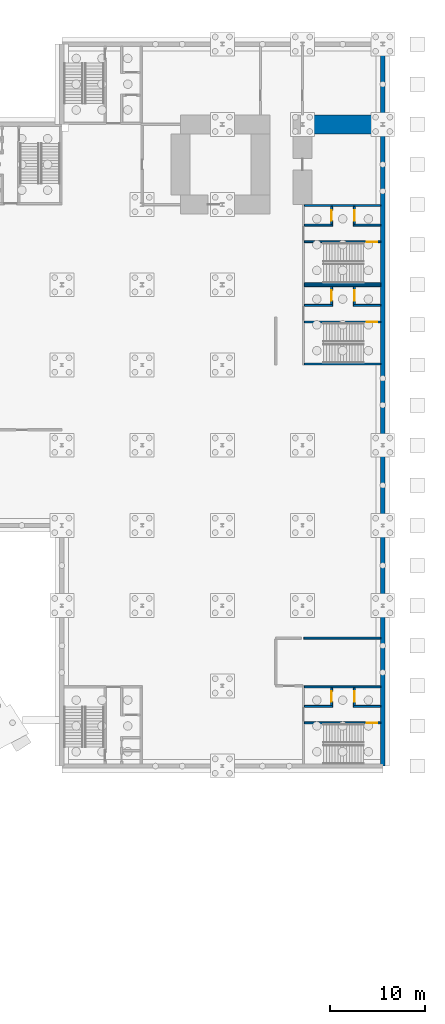
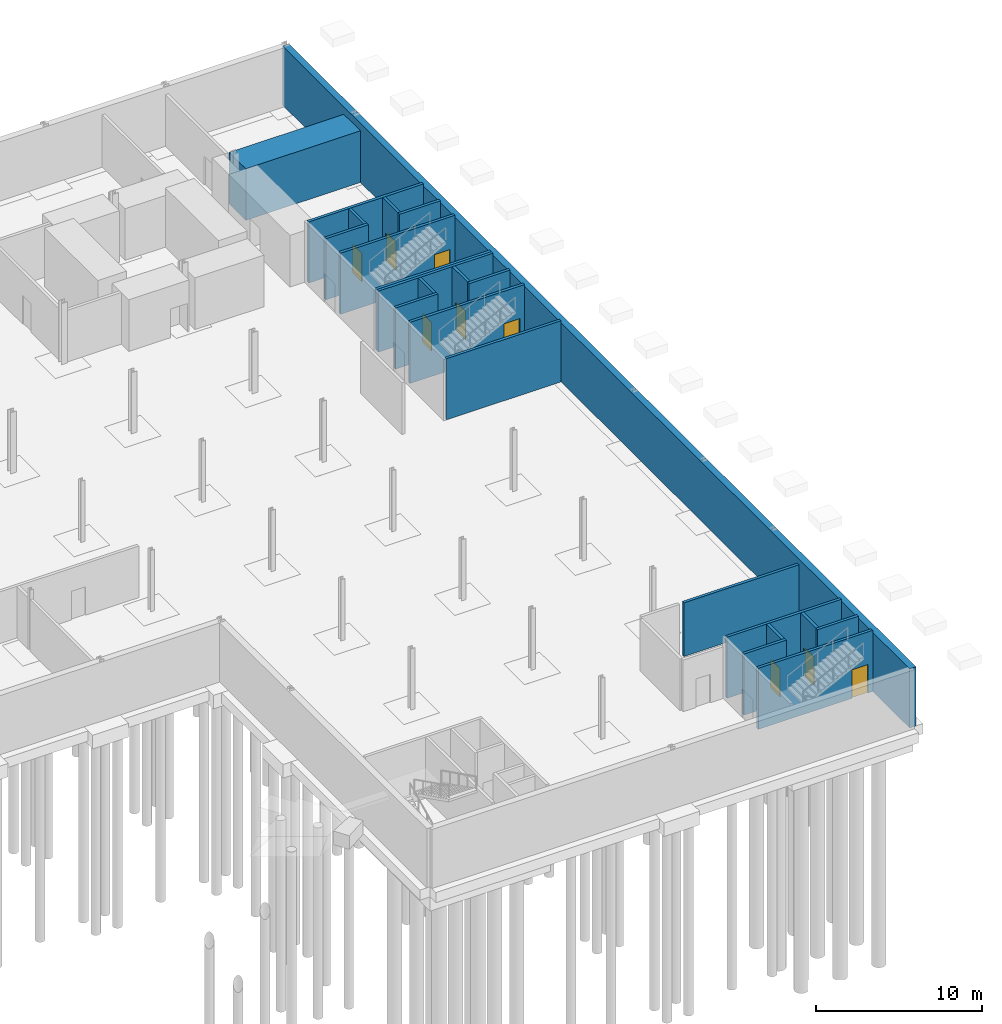
# One storey, part 31 of 35: 23 walls, 9 doors, 9 openings.
"""IFC4 building model written with IfcOpenShell, lengths in metres."""

import ifcopenshell
import ifcopenshell.guid

model = None  # the IFC model being written
_history = None  # IfcOwnerHistory: only IFC2X3 demands one
_inside = {}  # id of a spatial element -> (the spatial element, [elements in it])
_under = {}  # id of a project, library or spatial element -> (it, [spatial elements below it])
_declared = {}  # id of a project -> (the project, [libraries it declares])
_typed = {}  # id of a type object -> (the type object, [elements of that type])
_made_of = {}  # id of a material, layer set ... -> (it, [elements and type objects made of it])


def new_model(schema):
    """Start an empty IFC model of exactly this schema.

    Asked for "IFC4X3", IfcOpenShell would pick the latest addendum, in which some entities
    have other attributes; the version numbers below select the first issue.
    IFC2X3 requires an IfcOwnerHistory on every rooted entity: one is made here for all.
    """
    global model, _history
    if schema == "IFC4X3":
        model = ifcopenshell.file(schema_version=(4, 3, 0, 0))
    else:
        model = ifcopenshell.file(schema=schema)
    _inside.clear()
    _under.clear()
    _declared.clear()
    _typed.clear()
    _made_of.clear()
    _history = None
    if model.schema == "IFC2X3":
        org = make("IfcOrganization", Name="unknown")
        user = make(
            "IfcPersonAndOrganization",
            ThePerson=make("IfcPerson", FamilyName="unknown"),
            TheOrganization=org,
        )
        app = make(
            "IfcApplication",
            ApplicationDeveloper=org,
            Version="unknown",
            ApplicationFullName="unknown",
            ApplicationIdentifier="unknown",
        )
        _history = make(
            "IfcOwnerHistory",
            OwningUser=user,
            OwningApplication=app,
            ChangeAction="ADDED",
            CreationDate=0,
        )
    return model


def make(cls, **values):
    """One entity of the class cls with the attributes given. An attribute that is None is left unset."""
    return model.create_entity(
        cls, **{name: value for name, value in values.items() if value is not None}
    )


def rooted(cls, **values):
    """An entity with a GlobalId (a new one), such as an element, a storey or a relation."""
    return make(cls, GlobalId=ifcopenshell.guid.new(), OwnerHistory=_history, **values)


def si_unit(unit_type, name, prefix=None):
    """IfcSIUnit, for example si_unit("LENGTHUNIT", "METRE", prefix="MILLI")."""
    return make("IfcSIUnit", UnitType=unit_type, Prefix=prefix, Name=name)


def assignment(units):
    """IfcUnitAssignment: the units of a project."""
    return None if units is None else make("IfcUnitAssignment", Units=units)


def point(xyz):
    """IfcCartesianPoint."""
    return None if xyz is None else make("IfcCartesianPoint", Coordinates=xyz)


def direction(xyz):
    """IfcDirection."""
    return None if xyz is None else make("IfcDirection", DirectionRatios=xyz)


def frame(location, z_axis=None, x_axis=None):
    """IfcAxis2Placement3D, a coordinate frame: its origin and axes. An axis left out is left unset."""
    return make(
        "IfcAxis2Placement3D",
        Location=point(location),
        Axis=direction(z_axis),
        RefDirection=direction(x_axis),
    )


def frame_2d(location, x_axis=None):
    """IfcAxis2Placement2D, a coordinate frame in the plane: its origin and x axis."""
    return make(
        "IfcAxis2Placement2D", Location=point(location), RefDirection=direction(x_axis)
    )


def origin():
    """The frame at (0, 0, 0) with its axes left unset."""
    return frame((0.0, 0.0, 0.0))


def place(relative_to, where):
    """IfcLocalPlacement: puts the frame where relative to a parent placement (None: the world)."""
    return make(
        "IfcLocalPlacement", PlacementRelTo=relative_to, RelativePlacement=where
    )


def context(
    kind, dimensions, precision=None, world=None, true_north=None, identifier=None
):
    """IfcGeometricRepresentationContext, for example the 3D "Model" context."""
    return make(
        "IfcGeometricRepresentationContext",
        ContextIdentifier=identifier,
        ContextType=kind,
        CoordinateSpaceDimension=dimensions,
        Precision=precision,
        WorldCoordinateSystem=world,
        TrueNorth=true_north,
    )


def subcontext(parent, identifier, kind, view, scale=None):
    """IfcGeometricRepresentationSubContext, for example "Body" below "Model"."""
    return make(
        "IfcGeometricRepresentationSubContext",
        ContextIdentifier=identifier,
        ContextType=kind,
        ParentContext=parent,
        TargetScale=scale,
        TargetView=view,
    )


def project(units=None, contexts=None):
    """IfcProject with its units and contexts."""
    return rooted(
        "IfcProject",
        Name="project",
        RepresentationContexts=contexts,
        UnitsInContext=assignment(units),
    )


def spatial(cls, under=None, at=None, **own):
    """A site, building, storey or space (cls), placed at a placement, below another one or the project."""
    s = rooted(cls, ObjectPlacement=at, **own)
    if under is not None:
        _under.setdefault(under.id(), (under, []))[1].append(s)
    return s


def profile(cls, at=None, kind="AREA", **sizes):
    """A parametric profile (cls). Its sizes go by their IFC names, for example OverallWidth=200.0."""
    return make(cls, ProfileType=kind, Position=at, **sizes)


def rectangle(**sizes):
    """IfcRectangleProfileDef."""
    return profile("IfcRectangleProfileDef", **sizes)


def extrude(swept, where, along, depth):
    """IfcExtrudedAreaSolid: the profile swept, set in the frame where, extruded along a direction by depth."""
    return make(
        "IfcExtrudedAreaSolid",
        SweptArea=swept,
        Position=where,
        ExtrudedDirection=direction(along),
        Depth=depth,
    )


def shape(context_of_items, identifier, shape_type, items):
    """IfcShapeRepresentation: the items that make up one representation, for example the "Body"."""
    return make(
        "IfcShapeRepresentation",
        ContextOfItems=context_of_items,
        RepresentationIdentifier=identifier,
        RepresentationType=shape_type,
        Items=items,
    )


def material(Name=None, Category=None):
    """IfcMaterial."""
    return make("IfcMaterial", Name=Name, Category=Category)


def layer(
    of_material, thickness, ventilated=None, Name=None, Category=None, Priority=None
):
    """IfcMaterialLayer: one layer of a wall or slab, of a material (None: an air gap)."""
    return make(
        "IfcMaterialLayer",
        Material=of_material,
        LayerThickness=thickness,
        IsVentilated=ventilated,
        Name=Name,
        Category=Category,
        Priority=Priority,
    )


def layer_set(layers, Name=None):
    """IfcMaterialLayerSet."""
    return make("IfcMaterialLayerSet", MaterialLayers=layers, LayerSetName=Name)


def made_of(thing, what):
    """Note that an element or type object is made of a material, layer set ...; save() writes the relation."""
    if what is not None:
        _made_of.setdefault(what.id(), (what, []))[1].append(thing)
    return thing


def type_object(cls, material=None, **own):
    """A type object (cls), such as IfcWallType, which elements share."""
    return made_of(rooted(cls, **own), material)


def element(
    cls,
    number,
    at=None,
    inside=None,
    cuts=None,
    type_object=None,
    material=None,
    context=None,
    identifier="Body",
    shape_type=None,
    held_by="IfcProductDefinitionShape",
    body=None,
    shapes=None,
    **own,
):
    """One element of the class cls, such as IfcWall. Its Tag is "e" and its number.

    at: its placement. inside: the storey or other place that contains it. cuts: it is an
    opening in that element (IfcRelVoidsElement). A single representation is given by context,
    identifier, shape_type and body (its items); several are given by shapes. held_by: the class
    of the entity that holds the representations. save() writes the other relations.
    """
    e = rooted(cls, Tag="e%d" % number, ObjectPlacement=at, **own)
    if body is not None:
        shapes = [shape(context, identifier, shape_type, body)]
    if shapes is not None:
        e.Representation = make(held_by, Representations=shapes)
    if inside is not None:
        _inside.setdefault(inside.id(), (inside, []))[1].append(e)
    if cuts is not None:
        rooted(
            "IfcRelVoidsElement", RelatingBuildingElement=cuts, RelatedOpeningElement=e
        )
    if type_object is not None:
        _typed.setdefault(type_object.id(), (type_object, []))[1].append(e)
    return made_of(e, material)


def fill(opening, filler):
    """IfcRelFillsElement: the door or window that sits in an opening."""
    return rooted(
        "IfcRelFillsElement",
        RelatingOpeningElement=opening,
        RelatedBuildingElement=filler,
    )


def aggregate(whole, parts):
    """IfcRelAggregates: a whole, such as a stair, and the parts it consists of."""
    return rooted("IfcRelAggregates", RelatingObject=whole, RelatedObjects=parts)


def save(model, path):
    """Write the relations noted so far, then the file.

    IfcRelAggregates (storeys below a building ...), IfcRelContainedInSpatialStructure (elements
    in a storey), IfcRelDefinesByType, IfcRelAssociatesMaterial and IfcRelDeclares: one each for
    every whole, place, type object, material and project.
    """
    for whole, parts in _under.values():
        aggregate(whole, parts)
    for where, things in _inside.values():
        rooted(
            "IfcRelContainedInSpatialStructure",
            RelatedElements=things,
            RelatingStructure=where,
        )
    for kind, things in _typed.values():
        rooted("IfcRelDefinesByType", RelatedObjects=things, RelatingType=kind)
    for what, things in _made_of.values():
        rooted("IfcRelAssociatesMaterial", RelatedObjects=things, RelatingMaterial=what)
    for by, libraries in _declared.values():
        rooted("IfcRelDeclares", RelatingContext=by, RelatedDefinitions=libraries)
    model.write(path)


model = new_model("IFC4")

# Units and contexts
model_context = context("Model", 3, precision=1e-05, world=origin(), true_north=direction((0.0, 1.0)))
body_context = subcontext(model_context, "Body", "Model", "MODEL_VIEW")
ifc_project = project(units=[si_unit("LENGTHUNIT", "METRE"), si_unit("AREAUNIT", "SQUARE_METRE"), si_unit("VOLUMEUNIT", "CUBIC_METRE"), si_unit("PLANEANGLEUNIT", "RADIAN"), si_unit("MASSUNIT", "GRAM", prefix="KILO")], contexts=[model_context])

# Site, building, storey
site_placement = place(None, origin())
site = spatial("IfcSite", under=ifc_project, at=site_placement, CompositionType="ELEMENT")
building_placement = place(site_placement, origin())
building = spatial("IfcBuilding", under=site, at=building_placement, Name="Ardhachandra Cancer Care Centre", CompositionType="ELEMENT")
storey_placement = place(building_placement, frame((0.0, 0.0, -4.5)))
storey = spatial("IfcBuildingStorey", under=building, at=storey_placement, Name="B1", CompositionType="ELEMENT", Elevation=-4.5)

# Wall
ifc_material_1 = material(Name="Concrete M40", Category="concrete")
ifc_layer_1 = layer(ifc_material_1, 0.199951171875)
ifc_layer_set_1 = layer_set([ifc_layer_1], Name="Concrete M40")
wall_type_1 = type_object("IfcWallType", Name="Core wall RC 200", PredefinedType="SOLIDWALL", material=ifc_layer_set_1)
wall_1_placement = place(storey_placement, frame((137.0, 37.699951171875, 0.0), z_axis=(0.0, 0.0, 1.0), x_axis=(1.0, 0.0, 0.0)))
element("IfcWall", 1, at=wall_1_placement, inside=storey, type_object=wall_type_1, Name="Core wall K9 UE", PredefinedType="SOLIDWALL", context=body_context, shape_type="SweptSolid", body=[
    extrude(rectangle(XDim=7.97509765625, YDim=0.199951171875, at=frame_2d((3.987548828125, 0.0))), origin(), (0.0, 0.0, 1.0), 4.5),
])

# Wall, opening, door
wall_2_placement = place(storey_placement, frame((137.0, 33.925048828125, 0.0), z_axis=(0.0, 0.0, 1.0), x_axis=(1.0, 0.0, 0.0)))
wall_2 = element("IfcWall", 2, at=wall_2_placement, inside=storey, type_object=wall_type_1, Name="Core wall K9 P1", PredefinedType="SOLIDWALL", context=body_context, shape_type="SweptSolid", body=[
    extrude(rectangle(XDim=7.97509765625, YDim=0.199951171875, at=frame_2d((3.987548828125, 0.0))), origin(), (0.0, 0.0, 1.0), 4.5),
])
opening_1_placement = place(wall_2_placement, frame((6.53759765625, 0.0, 0.0)))
opening_1 = element("IfcOpeningElement", 3, at=opening_1_placement, cuts=wall_2, Name="Opening B1-K09-2", PredefinedType="OPENING", context=body_context, shape_type="SweptSolid", body=[
    extrude(rectangle(XDim=1.10009765625, YDim=2.10009765625, at=frame_2d((0.550048828125, 1.050048828125))), frame((0.0, 0.10986328125, 0.0), z_axis=(0.0, -1.0, 0.0), x_axis=(1.0, 0.0, 0.0)), (0.0, 0.0, 1.0), 0.219970703125),
])
ifc_material_2 = material(Name="Steel door set", Category="steel")
door_type_1 = type_object("IfcDoorType", Name="Stair door 1100x2100 FD60S", OperationType="NOTDEFINED", PredefinedType="DOOR", material=ifc_material_2)
door_1_placement = place(opening_1_placement, origin())
door_1 = element("IfcDoor", 4, at=door_1_placement, inside=storey, type_object=door_type_1, Name="Stair door", OperationType="SINGLE_SWING_LEFT", OverallHeight=2.10009765625, OverallWidth=1.10009765625, PredefinedType="DOOR", context=body_context, shape_type="SweptSolid", body=[
    extrude(rectangle(XDim=1.10009765625, YDim=2.10009765625, at=frame_2d((0.550048828125, 1.050048828125))), frame((0.0, 0.02490234375, 0.0), z_axis=(0.0, -1.0, 0.0), x_axis=(1.0, 0.0, 0.0)), (0.0, 0.0, 1.0), 0.050048828125),
])
fill(opening_1, door_1)

# Walls
wall_3_placement = place(storey_placement, frame((137.0, 35.64990234375, 0.0), z_axis=(0.0, 0.0, 1.0), x_axis=(1.0, 0.0, 0.0)))
element("IfcWall", 5, at=wall_3_placement, inside=storey, type_object=wall_type_1, Name="Core wall K9 P2A", PredefinedType="SOLIDWALL", context=body_context, shape_type="SweptSolid", body=[
    extrude(rectangle(XDim=2.949951171875, YDim=0.199951171875, at=frame_2d((1.47509765625, 0.0))), origin(), (0.0, 0.0, 1.0), 4.5),
])
wall_4_placement = place(storey_placement, frame((142.125, 35.64990234375, 0.0), z_axis=(0.0, 0.0, 1.0), x_axis=(1.0, 0.0, 0.0)))
element("IfcWall", 6, at=wall_4_placement, inside=storey, type_object=wall_type_1, Name="Core wall K9 P2B", PredefinedType="SOLIDWALL", context=body_context, shape_type="SweptSolid", body=[
    extrude(rectangle(XDim=2.85009765625, YDim=0.199951171875, at=frame_2d((1.425048828125, 0.0))), origin(), (0.0, 0.0, 1.0), 4.5),
])

# Wall, opening, door
wall_5_placement = place(storey_placement, frame((139.85009765625, 35.75, 0.0), z_axis=(0.0, 0.0, 1.0), x_axis=(0.0, 1.0, 0.0)))
wall_5 = element("IfcWall", 7, at=wall_5_placement, inside=storey, type_object=wall_type_1, Name="Core wall K9 W1", PredefinedType="SOLIDWALL", context=body_context, shape_type="SweptSolid", body=[
    extrude(rectangle(XDim=1.85009765625, YDim=0.199951171875, at=frame_2d((0.925048828125, 0.0))), origin(), (0.0, 0.0, 1.0), 4.5),
])
opening_2_placement = place(wall_5_placement, frame((0.375, 0.0, 0.0)))
opening_2 = element("IfcOpeningElement", 8, at=opening_2_placement, cuts=wall_5, Name="Opening B1-K09-3", PredefinedType="OPENING", context=body_context, shape_type="SweptSolid", body=[
    extrude(rectangle(XDim=1.10009765625, YDim=2.10009765625, at=frame_2d((0.550048828125, 1.050048828125))), frame((0.0, 0.10986328125, 0.0), z_axis=(0.0, -1.0, 0.0), x_axis=(1.0, 0.0, 0.0)), (0.0, 0.0, 1.0), 0.219970703125),
])
ifc_material_3 = material(Name="Stainless steel (grade 304)", Category="steel")
door_type_2 = type_object("IfcDoorType", Name="Lift landing door 1100x2100", OperationType="DOUBLE_DOOR_SLIDING", PredefinedType="DOOR", material=ifc_material_3)
door_2_placement = place(opening_2_placement, origin())
door_2 = element("IfcDoor", 9, at=door_2_placement, inside=storey, type_object=door_type_2, Name="Lift landing door LF-K9-1", OperationType="DOUBLE_DOOR_SLIDING", OverallHeight=2.10009765625, OverallWidth=1.10009765625, PredefinedType="DOOR", context=body_context, shape_type="SweptSolid", body=[
    extrude(rectangle(XDim=1.10009765625, YDim=2.10009765625, at=frame_2d((0.550048828125, 1.050048828125))), frame((0.0, 0.02490234375, 0.0), z_axis=(0.0, -1.0, 0.0), x_axis=(1.0, 0.0, 0.0)), (0.0, 0.0, 1.0), 0.050048828125),
])
fill(opening_2, door_2)

wall_6_placement = place(storey_placement, frame((142.22509765625, 35.75, 0.0), z_axis=(0.0, 0.0, 1.0), x_axis=(0.0, 1.0, 0.0)))
wall_6 = element("IfcWall", 10, at=wall_6_placement, inside=storey, type_object=wall_type_1, Name="Core wall K9 W2", PredefinedType="SOLIDWALL", context=body_context, shape_type="SweptSolid", body=[
    extrude(rectangle(XDim=1.85009765625, YDim=0.199951171875, at=frame_2d((0.925048828125, 0.0))), origin(), (0.0, 0.0, 1.0), 4.5),
])
opening_3_placement = place(wall_6_placement, frame((0.375, 0.0, 0.0)))
opening_3 = element("IfcOpeningElement", 11, at=opening_3_placement, cuts=wall_6, Name="Opening B1-K09-4", PredefinedType="OPENING", context=body_context, shape_type="SweptSolid", body=[
    extrude(rectangle(XDim=1.10009765625, YDim=2.10009765625, at=frame_2d((0.550048828125, 1.050048828125))), frame((0.0, 0.10986328125, 0.0), z_axis=(0.0, -1.0, 0.0), x_axis=(1.0, 0.0, 0.0)), (0.0, 0.0, 1.0), 0.219970703125),
])
door_3_placement = place(opening_3_placement, origin())
door_3 = element("IfcDoor", 12, at=door_3_placement, inside=storey, type_object=door_type_2, Name="Lift landing door LF-K9-2", OperationType="DOUBLE_DOOR_SLIDING", OverallHeight=2.10009765625, OverallWidth=1.10009765625, PredefinedType="DOOR", context=body_context, shape_type="SweptSolid", body=[
    extrude(rectangle(XDim=1.10009765625, YDim=2.10009765625, at=frame_2d((0.550048828125, 1.050048828125))), frame((0.0, 0.02490234375, 0.0), z_axis=(0.0, -1.0, 0.0), x_axis=(1.0, 0.0, 0.0)), (0.0, 0.0, 1.0), 0.050048828125),
])
fill(opening_3, door_3)

# Walls
for number, where, z_axis, x_axis, name in (
    (13, (137.0, 71.5, 0.0), (0.0, 0.0, 1.0), (1.0, 0.0, 0.0), "Core wall K10 UW"),
    (14, (137.0, 79.699951171875, 0.0), (0.0, 0.0, 1.0), (1.0, 0.0, 0.0), "Core wall K10 UE"),
):
    element("IfcWall", number, at=place(storey_placement, frame(where, z_axis=z_axis, x_axis=x_axis)), inside=storey, type_object=wall_type_1, Name=name, PredefinedType="SOLIDWALL", context=body_context, shape_type="SweptSolid", body=[
        extrude(rectangle(XDim=7.97509765625, YDim=0.199951171875, at=frame_2d((3.987548828125, 0.0))), origin(), (0.0, 0.0, 1.0), 4.5),
    ])

# Wall, opening, door
wall_7_placement = place(storey_placement, frame((137.0, 75.89990234375, 0.0), z_axis=(0.0, 0.0, 1.0), x_axis=(1.0, 0.0, 0.0)))
wall_7 = element("IfcWall", 15, at=wall_7_placement, inside=storey, type_object=wall_type_1, Name="Core wall K10 P1", PredefinedType="SOLIDWALL", context=body_context, shape_type="SweptSolid", body=[
    extrude(rectangle(XDim=7.97509765625, YDim=0.199951171875, at=frame_2d((3.987548828125, 0.0))), origin(), (0.0, 0.0, 1.0), 4.5),
])
opening_4_placement = place(wall_7_placement, frame((6.53759765625, 0.0, 0.0)))
opening_4 = element("IfcOpeningElement", 16, at=opening_4_placement, cuts=wall_7, Name="Opening B1-K10-2", PredefinedType="OPENING", context=body_context, shape_type="SweptSolid", body=[
    extrude(rectangle(XDim=1.10009765625, YDim=2.10009765625, at=frame_2d((0.550048828125, 1.050048828125))), frame((0.0, 0.10986328125, 0.0), z_axis=(0.0, -1.0, 0.0), x_axis=(1.0, 0.0, 0.0)), (0.0, 0.0, 1.0), 0.219970703125),
])
door_4_placement = place(opening_4_placement, origin())
door_4 = element("IfcDoor", 17, at=door_4_placement, inside=storey, type_object=door_type_1, Name="Stair door", OperationType="SINGLE_SWING_LEFT", OverallHeight=2.10009765625, OverallWidth=1.10009765625, PredefinedType="DOOR", context=body_context, shape_type="SweptSolid", body=[
    extrude(rectangle(XDim=1.10009765625, YDim=2.10009765625, at=frame_2d((0.550048828125, 1.050048828125))), frame((0.0, 0.02490234375, 0.0), z_axis=(0.0, -1.0, 0.0), x_axis=(1.0, 0.0, 0.0)), (0.0, 0.0, 1.0), 0.050048828125),
])
fill(opening_4, door_4)

# Walls
wall_8_placement = place(storey_placement, frame((137.0, 77.64990234375, 0.0), z_axis=(0.0, 0.0, 1.0), x_axis=(1.0, 0.0, 0.0)))
element("IfcWall", 18, at=wall_8_placement, inside=storey, type_object=wall_type_1, Name="Core wall K10 P2A", PredefinedType="SOLIDWALL", context=body_context, shape_type="SweptSolid", body=[
    extrude(rectangle(XDim=2.949951171875, YDim=0.199951171875, at=frame_2d((1.47509765625, 0.0))), origin(), (0.0, 0.0, 1.0), 4.5),
])
wall_9_placement = place(storey_placement, frame((142.125, 77.64990234375, 0.0), z_axis=(0.0, 0.0, 1.0), x_axis=(1.0, 0.0, 0.0)))
element("IfcWall", 19, at=wall_9_placement, inside=storey, type_object=wall_type_1, Name="Core wall K10 P2B", PredefinedType="SOLIDWALL", context=body_context, shape_type="SweptSolid", body=[
    extrude(rectangle(XDim=2.85009765625, YDim=0.199951171875, at=frame_2d((1.425048828125, 0.0))), origin(), (0.0, 0.0, 1.0), 4.5),
])

# Wall, opening, door
wall_10_placement = place(storey_placement, frame((139.85009765625, 77.75, 0.0), z_axis=(0.0, 0.0, 1.0), x_axis=(0.0, 1.0, 0.0)))
wall_10 = element("IfcWall", 20, at=wall_10_placement, inside=storey, type_object=wall_type_1, Name="Core wall K10 W1", PredefinedType="SOLIDWALL", context=body_context, shape_type="SweptSolid", body=[
    extrude(rectangle(XDim=1.85009765625, YDim=0.199951171875, at=frame_2d((0.925048828125, 0.0))), origin(), (0.0, 0.0, 1.0), 4.5),
])
opening_5_placement = place(wall_10_placement, frame((0.375, 0.0, 0.0)))
opening_5 = element("IfcOpeningElement", 21, at=opening_5_placement, cuts=wall_10, Name="Opening B1-K10-3", PredefinedType="OPENING", context=body_context, shape_type="SweptSolid", body=[
    extrude(rectangle(XDim=1.10009765625, YDim=2.10009765625, at=frame_2d((0.550048828125, 1.050048828125))), frame((0.0, 0.10986328125, 0.0), z_axis=(0.0, -1.0, 0.0), x_axis=(1.0, 0.0, 0.0)), (0.0, 0.0, 1.0), 0.219970703125),
])
door_5_placement = place(opening_5_placement, origin())
door_5 = element("IfcDoor", 22, at=door_5_placement, inside=storey, type_object=door_type_2, Name="Lift landing door LF-K10-1", OperationType="DOUBLE_DOOR_SLIDING", OverallHeight=2.10009765625, OverallWidth=1.10009765625, PredefinedType="DOOR", context=body_context, shape_type="SweptSolid", body=[
    extrude(rectangle(XDim=1.10009765625, YDim=2.10009765625, at=frame_2d((0.550048828125, 1.050048828125))), frame((0.0, 0.02490234375, 0.0), z_axis=(0.0, -1.0, 0.0), x_axis=(1.0, 0.0, 0.0)), (0.0, 0.0, 1.0), 0.050048828125),
])
fill(opening_5, door_5)

wall_11_placement = place(storey_placement, frame((142.22509765625, 77.75, 0.0), z_axis=(0.0, 0.0, 1.0), x_axis=(0.0, 1.0, 0.0)))
wall_11 = element("IfcWall", 23, at=wall_11_placement, inside=storey, type_object=wall_type_1, Name="Core wall K10 W2", PredefinedType="SOLIDWALL", context=body_context, shape_type="SweptSolid", body=[
    extrude(rectangle(XDim=1.85009765625, YDim=0.199951171875, at=frame_2d((0.925048828125, 0.0))), origin(), (0.0, 0.0, 1.0), 4.5),
])
opening_6_placement = place(wall_11_placement, frame((0.375, 0.0, 0.0)))
opening_6 = element("IfcOpeningElement", 24, at=opening_6_placement, cuts=wall_11, Name="Opening B1-K10-4", PredefinedType="OPENING", context=body_context, shape_type="SweptSolid", body=[
    extrude(rectangle(XDim=1.10009765625, YDim=2.10009765625, at=frame_2d((0.550048828125, 1.050048828125))), frame((0.0, 0.10986328125, 0.0), z_axis=(0.0, -1.0, 0.0), x_axis=(1.0, 0.0, 0.0)), (0.0, 0.0, 1.0), 0.219970703125),
])
door_6_placement = place(opening_6_placement, origin())
door_6 = element("IfcDoor", 25, at=door_6_placement, inside=storey, type_object=door_type_2, Name="Lift landing door LF-K10-2", OperationType="DOUBLE_DOOR_SLIDING", OverallHeight=2.10009765625, OverallWidth=1.10009765625, PredefinedType="DOOR", context=body_context, shape_type="SweptSolid", body=[
    extrude(rectangle(XDim=1.10009765625, YDim=2.10009765625, at=frame_2d((0.550048828125, 1.050048828125))), frame((0.0, 0.02490234375, 0.0), z_axis=(0.0, -1.0, 0.0), x_axis=(1.0, 0.0, 0.0)), (0.0, 0.0, 1.0), 0.050048828125),
])
fill(opening_6, door_6)

# Walls
for number, where, z_axis, x_axis, name in (
    (26, (137.0, 79.89990234375, 0.0), (0.0, 0.0, 1.0), (1.0, 0.0, 0.0), "Core wall K13 UW"),
    (27, (137.0, 88.10009765625, 0.0), (0.0, 0.0, 1.0), (1.0, 0.0, 0.0), "Core wall K13 UE"),
):
    element("IfcWall", number, at=place(storey_placement, frame(where, z_axis=z_axis, x_axis=x_axis)), inside=storey, type_object=wall_type_1, Name=name, PredefinedType="SOLIDWALL", context=body_context, shape_type="SweptSolid", body=[
        extrude(rectangle(XDim=7.97509765625, YDim=0.199951171875, at=frame_2d((3.987548828125, 0.0))), origin(), (0.0, 0.0, 1.0), 4.5),
    ])

# Wall, opening, door
wall_12_placement = place(storey_placement, frame((137.0, 84.300048828125, 0.0), z_axis=(0.0, 0.0, 1.0), x_axis=(1.0, 0.0, 0.0)))
wall_12 = element("IfcWall", 28, at=wall_12_placement, inside=storey, type_object=wall_type_1, Name="Core wall K13 P1", PredefinedType="SOLIDWALL", context=body_context, shape_type="SweptSolid", body=[
    extrude(rectangle(XDim=7.97509765625, YDim=0.199951171875, at=frame_2d((3.987548828125, 0.0))), origin(), (0.0, 0.0, 1.0), 4.5),
])
opening_7_placement = place(wall_12_placement, frame((6.53759765625, 0.0, 0.0)))
opening_7 = element("IfcOpeningElement", 29, at=opening_7_placement, cuts=wall_12, Name="Opening B1-K13-2", PredefinedType="OPENING", context=body_context, shape_type="SweptSolid", body=[
    extrude(rectangle(XDim=1.10009765625, YDim=2.10009765625, at=frame_2d((0.550048828125, 1.050048828125))), frame((0.0, 0.10986328125, 0.0), z_axis=(0.0, -1.0, 0.0), x_axis=(1.0, 0.0, 0.0)), (0.0, 0.0, 1.0), 0.219970703125),
])
door_7_placement = place(opening_7_placement, origin())
door_7 = element("IfcDoor", 30, at=door_7_placement, inside=storey, type_object=door_type_1, Name="Stair door", OperationType="SINGLE_SWING_LEFT", OverallHeight=2.10009765625, OverallWidth=1.10009765625, PredefinedType="DOOR", context=body_context, shape_type="SweptSolid", body=[
    extrude(rectangle(XDim=1.10009765625, YDim=2.10009765625, at=frame_2d((0.550048828125, 1.050048828125))), frame((0.0, 0.02490234375, 0.0), z_axis=(0.0, -1.0, 0.0), x_axis=(1.0, 0.0, 0.0)), (0.0, 0.0, 1.0), 0.050048828125),
])
fill(opening_7, door_7)

# Walls
wall_13_placement = place(storey_placement, frame((137.0, 86.050048828125, 0.0), z_axis=(0.0, 0.0, 1.0), x_axis=(1.0, 0.0, 0.0)))
element("IfcWall", 31, at=wall_13_placement, inside=storey, type_object=wall_type_1, Name="Core wall K13 P2A", PredefinedType="SOLIDWALL", context=body_context, shape_type="SweptSolid", body=[
    extrude(rectangle(XDim=2.949951171875, YDim=0.199951171875, at=frame_2d((1.47509765625, 0.0))), origin(), (0.0, 0.0, 1.0), 4.5),
])
wall_14_placement = place(storey_placement, frame((142.125, 86.050048828125, 0.0), z_axis=(0.0, 0.0, 1.0), x_axis=(1.0, 0.0, 0.0)))
element("IfcWall", 32, at=wall_14_placement, inside=storey, type_object=wall_type_1, Name="Core wall K13 P2B", PredefinedType="SOLIDWALL", context=body_context, shape_type="SweptSolid", body=[
    extrude(rectangle(XDim=2.85009765625, YDim=0.199951171875, at=frame_2d((1.425048828125, 0.0))), origin(), (0.0, 0.0, 1.0), 4.5),
])

# Wall, opening, door
wall_15_placement = place(storey_placement, frame((139.85009765625, 86.14990234375, 0.0), z_axis=(0.0, 0.0, 1.0), x_axis=(0.0, 1.0, 0.0)))
wall_15 = element("IfcWall", 33, at=wall_15_placement, inside=storey, type_object=wall_type_1, Name="Core wall K13 W1", PredefinedType="SOLIDWALL", context=body_context, shape_type="SweptSolid", body=[
    extrude(rectangle(XDim=1.85009765625, YDim=0.199951171875, at=frame_2d((0.925048828125, 0.0))), origin(), (0.0, 0.0, 1.0), 4.5),
])
opening_8_placement = place(wall_15_placement, frame((0.375, 0.0, 0.0)))
opening_8 = element("IfcOpeningElement", 34, at=opening_8_placement, cuts=wall_15, Name="Opening B1-K13-3", PredefinedType="OPENING", context=body_context, shape_type="SweptSolid", body=[
    extrude(rectangle(XDim=1.10009765625, YDim=2.10009765625, at=frame_2d((0.550048828125, 1.050048828125))), frame((0.0, 0.10986328125, 0.0), z_axis=(0.0, -1.0, 0.0), x_axis=(1.0, 0.0, 0.0)), (0.0, 0.0, 1.0), 0.219970703125),
])
door_8_placement = place(opening_8_placement, origin())
door_8 = element("IfcDoor", 35, at=door_8_placement, inside=storey, type_object=door_type_2, Name="Lift landing door LF-K13-1", OperationType="DOUBLE_DOOR_SLIDING", OverallHeight=2.10009765625, OverallWidth=1.10009765625, PredefinedType="DOOR", context=body_context, shape_type="SweptSolid", body=[
    extrude(rectangle(XDim=1.10009765625, YDim=2.10009765625, at=frame_2d((0.550048828125, 1.050048828125))), frame((0.0, 0.02490234375, 0.0), z_axis=(0.0, -1.0, 0.0), x_axis=(1.0, 0.0, 0.0)), (0.0, 0.0, 1.0), 0.050048828125),
])
fill(opening_8, door_8)

wall_16_placement = place(storey_placement, frame((142.22509765625, 86.14990234375, 0.0), z_axis=(0.0, 0.0, 1.0), x_axis=(0.0, 1.0, 0.0)))
wall_16 = element("IfcWall", 36, at=wall_16_placement, inside=storey, type_object=wall_type_1, Name="Core wall K13 W2", PredefinedType="SOLIDWALL", context=body_context, shape_type="SweptSolid", body=[
    extrude(rectangle(XDim=1.85009765625, YDim=0.199951171875, at=frame_2d((0.925048828125, 0.0))), origin(), (0.0, 0.0, 1.0), 4.5),
])
opening_9_placement = place(wall_16_placement, frame((0.375, 0.0, 0.0)))
opening_9 = element("IfcOpeningElement", 37, at=opening_9_placement, cuts=wall_16, Name="Opening B1-K13-4", PredefinedType="OPENING", context=body_context, shape_type="SweptSolid", body=[
    extrude(rectangle(XDim=1.10009765625, YDim=2.10009765625, at=frame_2d((0.550048828125, 1.050048828125))), frame((0.0, 0.10986328125, 0.0), z_axis=(0.0, -1.0, 0.0), x_axis=(1.0, 0.0, 0.0)), (0.0, 0.0, 1.0), 0.219970703125),
])
door_9_placement = place(opening_9_placement, origin())
door_9 = element("IfcDoor", 38, at=door_9_placement, inside=storey, type_object=door_type_2, Name="Lift landing door LF-K13-2", OperationType="DOUBLE_DOOR_SLIDING", OverallHeight=2.10009765625, OverallWidth=1.10009765625, PredefinedType="DOOR", context=body_context, shape_type="SweptSolid", body=[
    extrude(rectangle(XDim=1.10009765625, YDim=2.10009765625, at=frame_2d((0.550048828125, 1.050048828125))), frame((0.0, 0.02490234375, 0.0), z_axis=(0.0, -1.0, 0.0), x_axis=(1.0, 0.0, 0.0)), (0.0, 0.0, 1.0), 0.050048828125),
])
fill(opening_9, door_9)

# Walls
ifc_material_4 = material(Name="Brick masonry", Category="masonry")
ifc_layer_2 = layer(ifc_material_4, 0.199951171875)
ifc_layer_set_2 = layer_set([ifc_layer_2], Name="Brick masonry")
wall_type_2 = type_object("IfcWallType", Name="PLANT ROOM WALL 200", PredefinedType="SOLIDWALL", material=ifc_layer_set_2)
wall_17_placement = place(storey_placement, frame((136.949951171875, 42.800048828125, 0.0), z_axis=(0.0, 0.0, 1.0), x_axis=(1.0, 0.0, 0.0)))
element("IfcWall", 39, at=wall_17_placement, inside=storey, type_object=wall_type_2, Name="R/wall/B1/h0042800_0136950", PredefinedType="SOLIDWALL", context=body_context, shape_type="SweptSolid", body=[
    extrude(rectangle(XDim=8.025146484375, YDim=0.199951171875, at=frame_2d((4.0126953125, 0.0))), origin(), (0.0, 0.0, 1.0), 3.949951171875),
])
ifc_material_5 = material(Name="Concrete M40", Category="concrete")
ifc_layer_3 = layer(ifc_material_5, 0.449951171875)
ifc_layer_set_3 = layer_set([ifc_layer_3], Name="Concrete M40")
wall_type_3 = type_object("IfcWallType", Name="Retaining wall 450", PredefinedType="SOLIDWALL", material=ifc_layer_set_3)
wall_18_placement = place(storey_placement, frame((145.199951171875, 29.39990234375, 0.0), z_axis=(0.0, 0.0, 1.0), x_axis=(0.0, 1.0, 0.0)))
element("IfcWall", 40, at=wall_18_placement, inside=storey, type_object=wall_type_3, Name="Basement retaining wall 04", PredefinedType="SOLIDWALL", context=body_context, shape_type="SweptSolid", body=[
    extrude(rectangle(XDim=75.60009765625, YDim=0.449951171875, at=frame_2d((37.800048828125, 0.0))), origin(), (0.0, 0.0, 1.0), 4.35009765625),
])
ifc_material_6 = material(Name="Concrete M30", Category="concrete")
ifc_layer_4 = layer(ifc_material_6, 2.0)
ifc_layer_set_4 = layer_set([ifc_layer_4], Name="Concrete M30")
wall_type_4 = type_object("IfcWallType", Name="SHIELDING WALL 2000", PredefinedType="SOLIDWALL", material=ifc_layer_set_4)
wall_19_placement = place(storey_placement, frame((136.99755859375, 96.60009765625, 0.0), z_axis=(0.0, 0.0, 1.0), x_axis=(1.0, 0.0, 0.0)))
element("IfcWall", 41, at=wall_19_placement, inside=storey, type_object=wall_type_4, Name="R/wall/B1/h0096600_0136998", PredefinedType="SOLIDWALL", context=body_context, shape_type="SweptSolid", body=[
    extrude(rectangle(XDim=8.016845703125, YDim=2.0, at=frame_2d((4.00830078125, 0.0))), origin(), (0.0, 0.0, 1.0), 3.800048828125),
])

save(model, "model.ifc")
